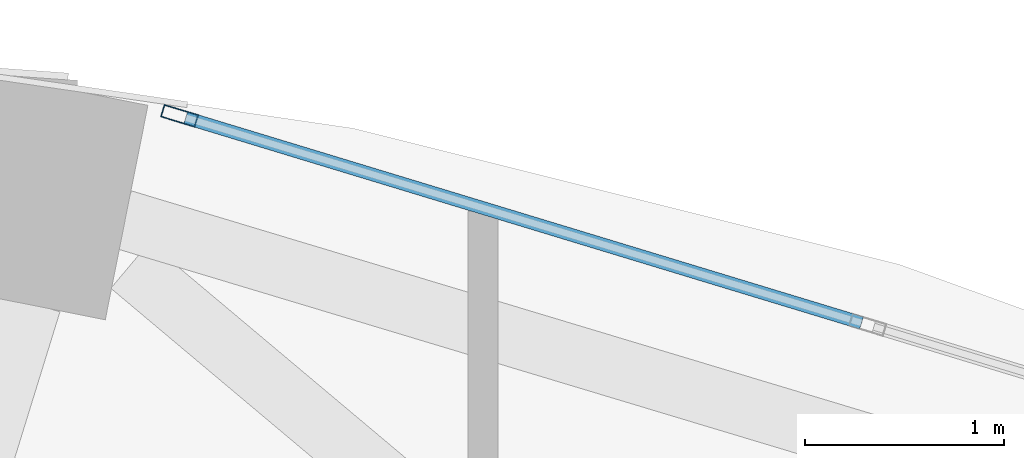
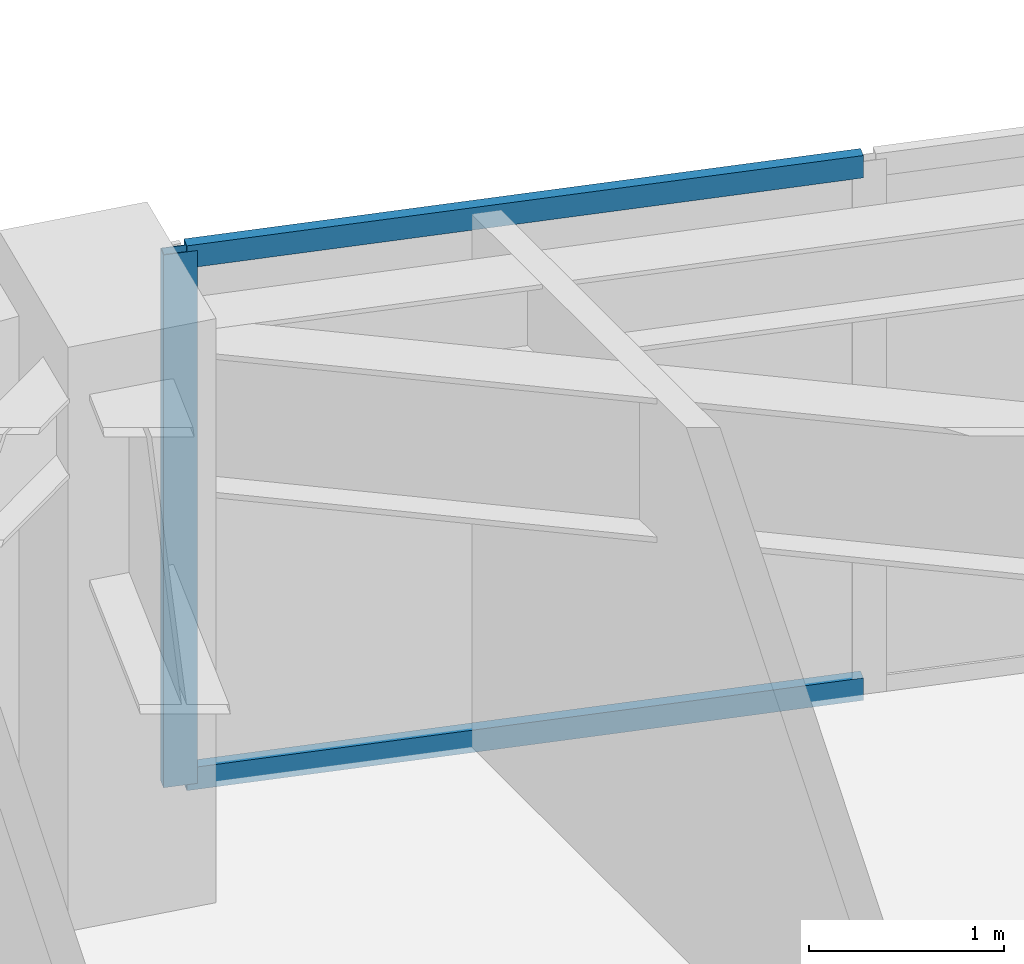
# One storey, part 8 of 13: 3 members, 1 element without a shape of its own.
"""IFC4 building model written with IfcOpenShell, lengths in metres."""

from ifc_helpers import new_model, si_unit, direction, frame, origin, origin_2d, place, context, subcontext, project, spatial, hollow_rectangle, extrude, material, layer, layer_set, material_profile, profile_set, type_object, element, aggregate, save


model = new_model("IFC4")

# Units and contexts
model_context = context("Model", 3, precision=1e-05, world=origin(), true_north=direction((0.0, 1.0)))
body_context = subcontext(model_context, "Body", "Model", "MODEL_VIEW")
ifc_project = project(units=[si_unit("LENGTHUNIT", "METRE"), si_unit("AREAUNIT", "SQUARE_METRE"), si_unit("VOLUMEUNIT", "CUBIC_METRE"), si_unit("PLANEANGLEUNIT", "RADIAN"), si_unit("MASSUNIT", "GRAM", prefix="KILO")], contexts=[model_context])

# Site, building, storey
site_placement = place(None, origin())
site = spatial("IfcSite", under=ifc_project, at=site_placement, CompositionType="ELEMENT")
building_placement = place(site_placement, origin())
building = spatial("IfcBuilding", under=site, at=building_placement, Name="Lazwardi Medical Tower", CompositionType="ELEMENT")
storey_placement = place(building_placement, frame((0.0, 0.0, 298.800048828125)))
storey = spatial("IfcBuildingStorey", under=building, at=storey_placement, Name="L78", CompositionType="ELEMENT", Elevation=298.800048828125)

# Curtain wall, members
ifc_material_1 = material(Name="Anodised bronze aluminium and solar control glazing", Category="aluminium")
ifc_layer = layer(ifc_material_1, 0.18994140625)
ifc_layer_set = layer_set([ifc_layer], Name="Anodised bronze aluminium and solar control glazing")
curtain_wall_type = type_object("IfcCurtainWallType", Name="CW-SYS-04", PredefinedType="NOTDEFINED", material=ifc_layer_set)
curtain_wall_placement = place(storey_placement, origin())
curtain_wall = element("IfcCurtainWall", 1, at=curtain_wall_placement, inside=storey, type_object=curtain_wall_type, Name="L78 Unitised bronze curtain wall CW-04", PredefinedType="NOTDEFINED")
ifc_material_2 = material(Name="Anodised bronze aluminium", Category="aluminium")
ifc_material_profile_1 = material_profile(ifc_material_2, hollow_rectangle(XDim=0.06494140625, YDim=0.179931640625, WallThickness=0.00390625, at=origin_2d()), Name="ALU-MULLION 180x65x4")
ifc_profile_set_1 = profile_set([ifc_material_profile_1], Name="Anodised bronze aluminium")
member_type_1 = type_object("IfcMemberType", Name="CW-MUL-03", PredefinedType="MULLION", material=ifc_profile_set_1)
member_1_placement = place(storey_placement, frame((40.873046875, 45.007080078125, 0.0), z_axis=(0.0, 0.0, 1.0), x_axis=(-0.290581889515, -0.956850126972, 0.0)))
member_1 = element("IfcMember", 2, at=member_1_placement, type_object=member_type_1, Name="CW-04 mullion 3", PredefinedType="MULLION", context=body_context, shape_type="SweptSolid", body=[
    extrude(hollow_rectangle(XDim=0.06494140625, YDim=0.179931640625, WallThickness=0.00390625, at=origin_2d()), origin(), (0.0, 0.0, 1.0), 3.327880859375),
])
ifc_material_profile_2 = material_profile(ifc_material_2, hollow_rectangle(XDim=0.06494140625, YDim=0.139892578125, WallThickness=0.00341796875, at=origin_2d()), Name="ALU-TRANSOM 140x65x3.5")
ifc_profile_set_2 = profile_set([ifc_material_profile_2], Name="Anodised bronze aluminium")
member_type_2 = type_object("IfcMemberType", Name="CW-TRN-03", PredefinedType="USERDEFINED", material=ifc_profile_set_2)
member_2_placement = place(storey_placement, frame((44.305419921875, 43.96484375, 0.032470703125), z_axis=(-0.956862505902, 0.290541124109, 0.0), x_axis=(-0.290541124109, -0.956862505902, 0.0)))
member_2 = element("IfcMember", 3, at=member_2_placement, type_object=member_type_2, Name="CW-04 transom 2.1", ObjectType="TRANSOM", PredefinedType="USERDEFINED", context=body_context, shape_type="SweptSolid", body=[
    extrude(hollow_rectangle(XDim=0.06494140625, YDim=0.139892578125, WallThickness=0.00341796875, at=origin_2d()), origin(), (0.0, 0.0, 1.0), 3.554443359375),
])
member_3_placement = place(storey_placement, frame((44.305419921875, 43.96484375, 3.29541015625), z_axis=(-0.956862505902, 0.290541124109, 0.0), x_axis=(-0.290541124109, -0.956862505902, 0.0)))
member_3 = element("IfcMember", 4, at=member_3_placement, type_object=member_type_2, Name="CW-04 transom 2.2", ObjectType="TRANSOM", PredefinedType="USERDEFINED", context=body_context, shape_type="SweptSolid", body=[
    extrude(hollow_rectangle(XDim=0.06494140625, YDim=0.139892578125, WallThickness=0.00341796875, at=origin_2d()), origin(), (0.0, 0.0, 1.0), 3.554443359375),
])
aggregate(curtain_wall, [member_1, member_2, member_3])

save(model, "model.ifc")
